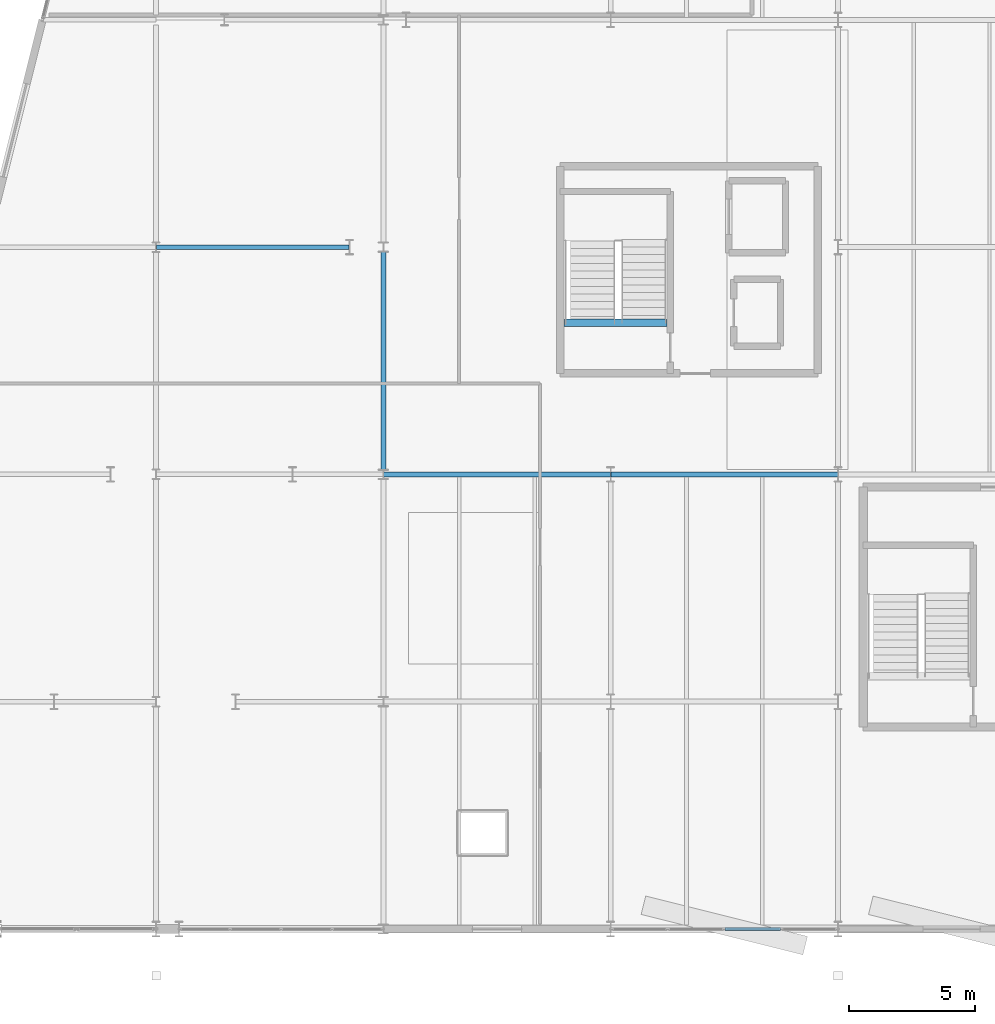
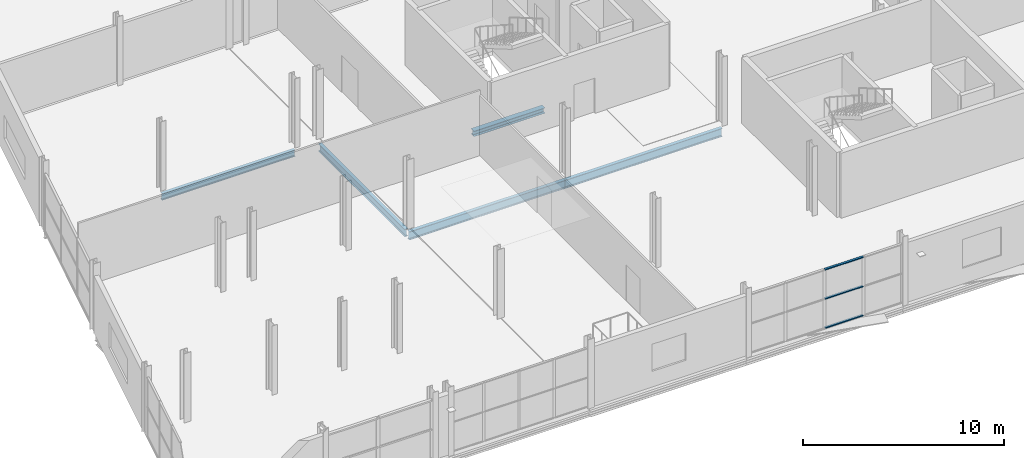
# One storey, part 44 of 88: 5 beams, 3 members, 1 element without a shape of its own.
"""IFC4 building model written with IfcOpenShell, lengths in metres."""

from ifc_helpers import new_model, si_unit, direction, frame, origin, origin_2d, place, context, subcontext, project, spatial, hollow_rectangle, i_section, extrude, material, layer, layer_set, material_profile, profile_set, type_object, element, aggregate, save


model = new_model("IFC4")

# Units and contexts
model_context = context("Model", 3, precision=1e-05, world=origin(), true_north=direction((0.0, 1.0)))
body_context = subcontext(model_context, "Body", "Model", "MODEL_VIEW")
ifc_project = project(units=[si_unit("LENGTHUNIT", "METRE"), si_unit("AREAUNIT", "SQUARE_METRE"), si_unit("VOLUMEUNIT", "CUBIC_METRE"), si_unit("PLANEANGLEUNIT", "RADIAN"), si_unit("MASSUNIT", "GRAM", prefix="KILO")], contexts=[model_context])

# Site, building, storey
site_placement = place(None, origin())
site = spatial("IfcSite", under=ifc_project, at=site_placement, CompositionType="ELEMENT")
building_placement = place(site_placement, origin())
building = spatial("IfcBuilding", under=site, at=building_placement, Name="Deido Ridge Mobility Hub", CompositionType="ELEMENT")
storey_placement = place(building_placement, frame((0.0, 0.0, 16.800048828125)))
storey = spatial("IfcBuildingStorey", under=building, at=storey_placement, Name="L04", CompositionType="ELEMENT", Elevation=16.800048828125)

# Beams
ifc_material_1 = material(Name="Steel S355J2 EN 10025-2", Category="steel")
ifc_material_profile_1 = material_profile(ifc_material_1, i_section(OverallWidth=0.300048828125, OverallDepth=0.330078125, WebThickness=0.009521484375, FlangeThickness=0.0166015625, FilletRadius=0.027099609375, at=origin_2d()), Name="HEA 340")
ifc_profile_set_1 = profile_set([ifc_material_profile_1], Name="Steel S355J2 EN 10025-2")
beam_type_1 = type_object("IfcBeamType", Name="BM-HEA340", PredefinedType="BEAM", material=ifc_profile_set_1)
beam_1_placement = place(storey_placement, frame((151.14990234375, 24.0, -0.43994140625), z_axis=(1.0, 0.0, 0.0), x_axis=(0.0, 1.0, 0.0)))
element("IfcBeam", 1, at=beam_1_placement, inside=storey, type_object=beam_type_1, Name="C3 stair landing trimmer beam B6", PredefinedType="BEAM", context=body_context, shape_type="SweptSolid", body=[
    extrude(i_section(OverallWidth=0.300048828125, OverallDepth=0.330078125, WebThickness=0.009521484375, FlangeThickness=0.0166015625, FilletRadius=0.027099609375, at=origin_2d()), origin(), (0.0, 0.0, 1.0), 4.085205078125),
])
ifc_material_profile_2 = material_profile(ifc_material_1, i_section(OverallWidth=0.179931640625, OverallDepth=0.39990234375, WebThickness=0.008544921875, FlangeThickness=0.013427734375, FilletRadius=0.02099609375, at=origin_2d()), Name="IPE 400")
ifc_profile_set_2 = profile_set([ifc_material_profile_2], Name="Steel S355J2 EN 10025-2")
beam_type_2 = type_object("IfcBeamType", Name="BM-IPE400", PredefinedType="BEAM", material=ifc_profile_set_2)
beam_2_placement = place(storey_placement, frame((135.0068359375, 27.0, -0.47509765625), z_axis=(1.0, 0.0, 0.0), x_axis=(0.0, 1.0, 0.0)))
element("IfcBeam", 2, at=beam_2_placement, inside=storey, type_object=beam_type_2, Name="Floor beam B5", PredefinedType="BEAM", context=body_context, shape_type="SweptSolid", body=[
    extrude(i_section(OverallWidth=0.179931640625, OverallDepth=0.39990234375, WebThickness=0.008544921875, FlangeThickness=0.013427734375, FilletRadius=0.02099609375, at=origin_2d()), origin(), (0.0, 0.0, 1.0), 7.635498046875),
])
ifc_material_profile_3 = material_profile(ifc_material_1, i_section(OverallWidth=0.18994140625, OverallDepth=0.449951171875, WebThickness=0.009521484375, FlangeThickness=0.0146484375, FilletRadius=0.02099609375, at=origin_2d()), Name="IPE 450")
ifc_profile_set_3 = profile_set([ifc_material_profile_3], Name="Steel S355J2 EN 10025-2")
beam_type_3 = type_object("IfcBeamType", Name="BM-IPE450", PredefinedType="BEAM", material=ifc_profile_set_3)
beam_3_placement = place(storey_placement, frame((144.0, 18.196533203125, -0.5), z_axis=(0.0, 1.0, 0.0), x_axis=(-1.0, 0.0, 0.0)))
element("IfcBeam", 3, at=beam_3_placement, inside=storey, type_object=beam_type_3, Name="Floor beam B4", PredefinedType="BEAM", context=body_context, shape_type="SweptSolid", body=[
    extrude(i_section(OverallWidth=0.18994140625, OverallDepth=0.449951171875, WebThickness=0.009521484375, FlangeThickness=0.0146484375, FilletRadius=0.02099609375, at=origin_2d()), origin(), (0.0, 0.0, 1.0), 8.60693359375),
])
ifc_material_profile_4 = material_profile(ifc_material_1, i_section(OverallWidth=0.199951171875, OverallDepth=0.5, WebThickness=0.01025390625, FlangeThickness=0.01611328125, FilletRadius=0.02099609375, at=origin_2d()), Name="IPE 500")
ifc_profile_set_4 = profile_set([ifc_material_profile_4], Name="Steel S355J2 EN 10025-2")
beam_type_4 = type_object("IfcBeamType", Name="BM-IPE500", PredefinedType="BEAM", material=ifc_profile_set_4)
beam_4_placement = place(storey_placement, frame((144.0087890625, 18.0, -0.525146484375), z_axis=(1.0, 0.0, 0.0), x_axis=(0.0, 1.0, 0.0)))
element("IfcBeam", 4, at=beam_4_placement, inside=storey, type_object=beam_type_4, Name="Floor beam B3", PredefinedType="BEAM", context=body_context, shape_type="SweptSolid", body=[
    extrude(i_section(OverallWidth=0.199951171875, OverallDepth=0.5, WebThickness=0.01025390625, FlangeThickness=0.01611328125, FilletRadius=0.02099609375, at=origin_2d()), origin(), (0.0, 0.0, 1.0), 8.9833984375),
])
beam_5_placement = place(storey_placement, frame((153.0078125, 18.0, -0.525146484375), z_axis=(1.0, 0.0, 0.0), x_axis=(0.0, 1.0, 0.0)))
element("IfcBeam", 5, at=beam_5_placement, inside=storey, type_object=beam_type_4, Name="Floor beam B3", PredefinedType="BEAM", context=body_context, shape_type="SweptSolid", body=[
    extrude(i_section(OverallWidth=0.199951171875, OverallDepth=0.5, WebThickness=0.01025390625, FlangeThickness=0.01611328125, FilletRadius=0.02099609375, at=origin_2d()), origin(), (0.0, 0.0, 1.0), 8.984375),
])

# Curtain wall, members
ifc_material_2 = material(Name="Anodised aluminium EN AW-6063 T6", Category="aluminium")
ifc_layer = layer(ifc_material_2, 0.195068359375, Name="Anodised aluminium EN AW-6063 T6")
ifc_layer_set = layer_set([ifc_layer], Name="Anodised aluminium EN AW-6063 T6")
curtain_wall_type = type_object("IfcCurtainWallType", Name="CW-UF-3", PredefinedType="USERDEFINED", material=ifc_layer_set)
curtain_wall_placement = place(storey_placement, origin())
curtain_wall = element("IfcCurtainWall", 6, at=curtain_wall_placement, inside=storey, type_object=curtain_wall_type, Name="Unitised curtain wall CW3", ObjectType="UNITISED FACADE", PredefinedType="USERDEFINED")
ifc_material_profile_5 = material_profile(ifc_material_2, hollow_rectangle(XDim=0.125, YDim=0.06005859375, WallThickness=0.00390625, at=origin_2d()), Name="RHS 125x60x4")
ifc_profile_set_5 = profile_set([ifc_material_profile_5], Name="Anodised aluminium EN AW-6063 T6")
member_type = type_object("IfcMemberType", Name="MEM-TRN-125X60", PredefinedType="USERDEFINED", material=ifc_profile_set_5)
member_1_placement = place(storey_placement, frame((157.530029296875, 0.0, 0.030029296875), z_axis=(1.0, 0.0, 0.0), x_axis=(0.0, 1.0, 0.0)))
member_1 = element("IfcMember", 7, at=member_1_placement, type_object=member_type, Name="CW3 transom 3.1", ObjectType="TRANSOM", PredefinedType="USERDEFINED", context=body_context, shape_type="SweptSolid", body=[
    extrude(hollow_rectangle(XDim=0.125, YDim=0.06005859375, WallThickness=0.00390625, at=origin_2d()), origin(), (0.0, 0.0, 1.0), 2.18603515625),
])
member_2_placement = place(storey_placement, frame((157.530029296875, 0.0, 1.800048828125), z_axis=(1.0, 0.0, 0.0), x_axis=(0.0, 1.0, 0.0)))
member_2 = element("IfcMember", 8, at=member_2_placement, type_object=member_type, Name="CW3 transom 3.2", ObjectType="TRANSOM", PredefinedType="USERDEFINED", context=body_context, shape_type="SweptSolid", body=[
    extrude(hollow_rectangle(XDim=0.125, YDim=0.06005859375, WallThickness=0.00390625, at=origin_2d()), origin(), (0.0, 0.0, 1.0), 2.18603515625),
])
member_3_placement = place(storey_placement, frame((157.530029296875, 0.0, 3.570068359375), z_axis=(1.0, 0.0, 0.0), x_axis=(0.0, 1.0, 0.0)))
member_3 = element("IfcMember", 9, at=member_3_placement, type_object=member_type, Name="CW3 transom 3.3", ObjectType="TRANSOM", PredefinedType="USERDEFINED", context=body_context, shape_type="SweptSolid", body=[
    extrude(hollow_rectangle(XDim=0.125, YDim=0.06005859375, WallThickness=0.00390625, at=origin_2d()), origin(), (0.0, 0.0, 1.0), 2.18603515625),
])
aggregate(curtain_wall, [member_1, member_2, member_3])

save(model, "model.ifc")
